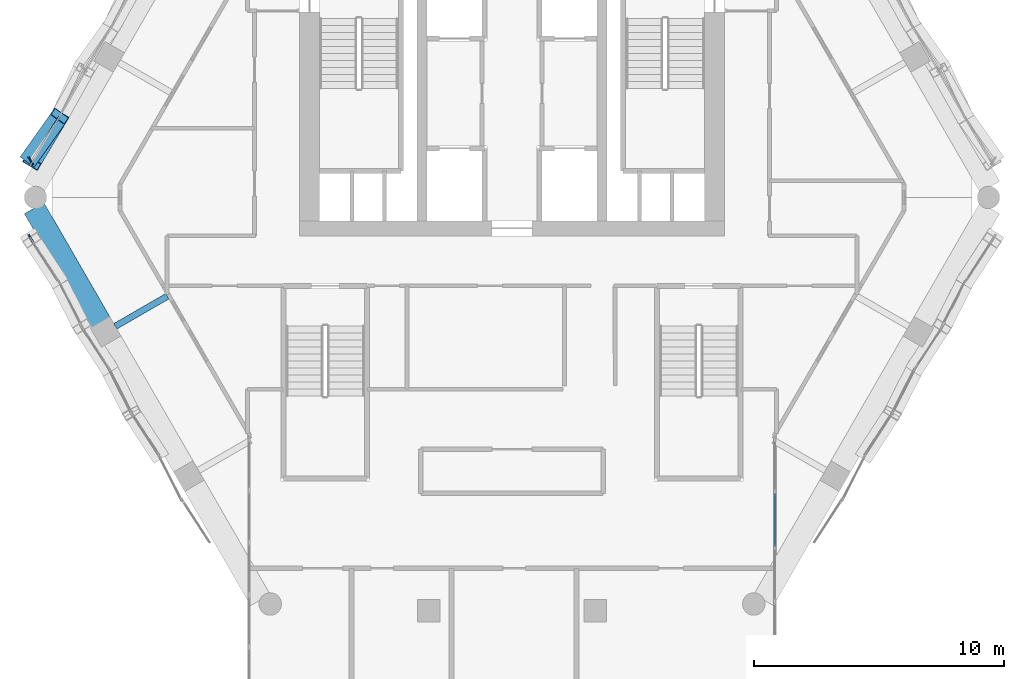
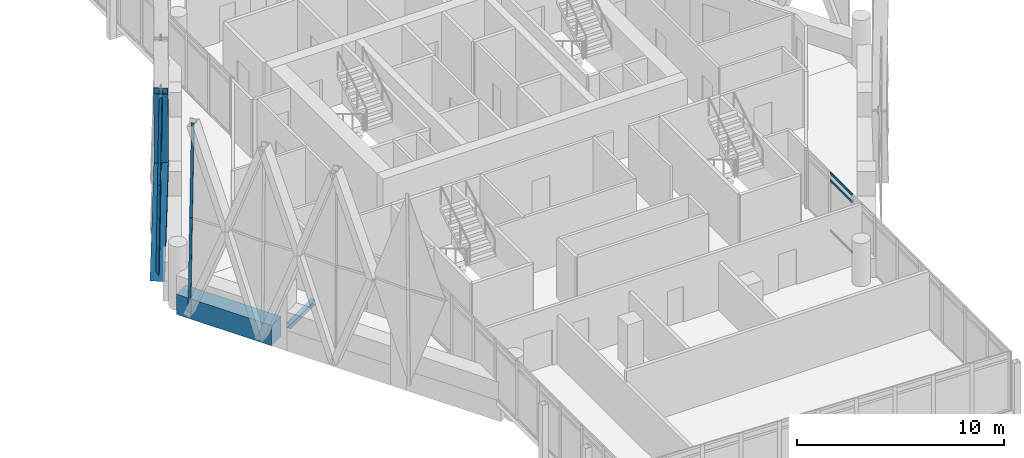
# One storey, part 12 of 37: 10 members, 2 beams, 4 elements without a shape of their own.
"""IFC4 building model written with IfcOpenShell, lengths in metres."""

from ifc_helpers import new_model, si_unit, direction, frame, origin, origin_2d, place, context, subcontext, project, spatial, rectangle, hollow_rectangle, i_section, extrude, material, material_profile, profile_set, type_object, element, aggregate, save


model = new_model("IFC4")

# Units and contexts
model_context = context("Model", 3, precision=1e-05, world=origin(), true_north=direction((0.0, 1.0)))
body_context = subcontext(model_context, "Body", "Model", "MODEL_VIEW")
ifc_project = project(units=[si_unit("LENGTHUNIT", "METRE"), si_unit("AREAUNIT", "SQUARE_METRE"), si_unit("VOLUMEUNIT", "CUBIC_METRE"), si_unit("PLANEANGLEUNIT", "RADIAN"), si_unit("MASSUNIT", "GRAM", prefix="KILO")], contexts=[model_context])

# Site, building, storey
site_placement = place(None, origin())
site = spatial("IfcSite", under=ifc_project, at=site_placement, CompositionType="ELEMENT")
building_placement = place(site_placement, origin())
building = spatial("IfcBuilding", under=site, at=building_placement, Name="Ostrander Bayou Hotel Tower", CompositionType="ELEMENT")
storey_placement = place(building_placement, frame((0.0, 0.0, 225.75)))
storey = spatial("IfcBuildingStorey", under=building, at=storey_placement, Name="L56", CompositionType="ELEMENT", Elevation=225.75)

# Curtain wall, members
ifc_material_1 = material(Name="Aluminium and clear glass", Category="aluminium")
curtain_wall_type_1 = type_object("IfcCurtainWallType", Name="CW-BAR glazed wall", PredefinedType="NOTDEFINED", material=ifc_material_1)
curtain_wall_1_placement = place(storey_placement, origin())
curtain_wall_1 = element("IfcCurtainWall", 1, at=curtain_wall_1_placement, inside=storey, type_object=curtain_wall_type_1, Name="CW-BAR L56:SB5S:W", PredefinedType="NOTDEFINED")
ifc_material_2 = material(Name="Aluminium", Category="aluminium")
ifc_material_profile_1 = material_profile(ifc_material_2, hollow_rectangle(XDim=0.06005859375, YDim=0.1298828125, WallThickness=0.00390625, at=origin_2d()))
ifc_profile_set_1 = profile_set([ifc_material_profile_1], Name="Aluminium")
member_type_1 = type_object("IfcMemberType", Name="CW-BR transom 60 x 130 mm", PredefinedType="USERDEFINED", material=ifc_profile_set_1)
member_1_placement = place(storey_placement, frame((10.51220703125, -12.000732421875, 0.030029296875), z_axis=(0.0, -1.0, 0.0), x_axis=(1.0, 0.0, 0.0)))
member_1 = element("IfcMember", 2, at=member_1_placement, type_object=member_type_1, Name="CW-BAR transom 2.1", ObjectType="TRANSOM", PredefinedType="USERDEFINED", context=body_context, shape_type="SweptSolid", body=[
    extrude(hollow_rectangle(XDim=0.06005859375, YDim=0.1298828125, WallThickness=0.00390625, at=origin_2d()), origin(), (0.0, 0.0, 1.0), 2.1181640625),
])
member_2_placement = place(storey_placement, frame((10.51220703125, -12.000732421875, 3.0), z_axis=(0.0, -1.0, 0.0), x_axis=(1.0, 0.0, 0.0)))
member_2 = element("IfcMember", 3, at=member_2_placement, type_object=member_type_1, Name="CW-BAR transom 2.2", ObjectType="TRANSOM", PredefinedType="USERDEFINED", context=body_context, shape_type="SweptSolid", body=[
    extrude(hollow_rectangle(XDim=0.06005859375, YDim=0.1298828125, WallThickness=0.00390625, at=origin_2d()), origin(), (0.0, 0.0, 1.0), 2.1181640625),
])
member_3_placement = place(storey_placement, frame((10.51220703125, -12.000732421875, 3.419921875), z_axis=(0.0, -1.0, 0.0), x_axis=(1.0, 0.0, 0.0)))
member_3 = element("IfcMember", 4, at=member_3_placement, type_object=member_type_1, Name="CW-BAR transom 2.3", ObjectType="TRANSOM", PredefinedType="USERDEFINED", context=body_context, shape_type="SweptSolid", body=[
    extrude(hollow_rectangle(XDim=0.06005859375, YDim=0.1298828125, WallThickness=0.00390625, at=origin_2d()), origin(), (0.0, 0.0, 1.0), 2.1181640625),
])
aggregate(curtain_wall_1, [member_1, member_2, member_3])

ifc_material_3 = material(Name="Aluminium and clear glass", Category="aluminium")
curtain_wall_type_2 = type_object("IfcCurtainWallType", Name="CW-LAT lattice glazing", PredefinedType="NOTDEFINED", material=ifc_material_3)
curtain_wall_2_placement = place(storey_placement, origin())
curtain_wall_2 = element("IfcCurtainWall", 5, at=curtain_wall_2_placement, inside=storey, type_object=curtain_wall_type_2, Name="CW-LAT L56 NW 1", PredefinedType="NOTDEFINED")
ifc_material_4 = material(Name="Aluminium", Category="aluminium")
ifc_material_profile_2 = material_profile(ifc_material_4, hollow_rectangle(XDim=0.06005859375, YDim=0.159912109375, WallThickness=0.00390625, at=origin_2d()))
ifc_profile_set_2 = profile_set([ifc_material_profile_2], Name="Aluminium")
member_type_2 = type_object("IfcMemberType", Name="CW-LA mullion 60 x 160 mm", PredefinedType="MULLION", material=ifc_profile_set_2)
member_4_placement = place(storey_placement, frame((-19.2978515625, 1.387939453125, -0.60009765625), z_axis=(0.008418945283, -0.014581266058, 0.999858243973), x_axis=(0.866013897511, 0.50001992892, 0.0)))
member_4 = element("IfcMember", 6, at=member_4_placement, type_object=member_type_2, Name="CW-LAT mullion 13", PredefinedType="MULLION", context=body_context, shape_type="SweptSolid", body=[
    extrude(hollow_rectangle(XDim=0.06005859375, YDim=0.159912109375, WallThickness=0.00390625, at=origin_2d()), origin(), (0.0, 0.0, 1.0), 5.625732421875),
])
member_5_placement = place(storey_placement, frame((-19.25048828125, 1.305908203125, 5.02490234375), z_axis=(0.008375557002, -0.014537883916, 0.999859240081), x_axis=(0.866486855147, 0.499199889682, 0.0)))
member_5 = element("IfcMember", 7, at=member_5_placement, type_object=member_type_2, Name="CW-LAT mullion 14", PredefinedType="MULLION", context=body_context, shape_type="SweptSolid", body=[
    extrude(hollow_rectangle(XDim=0.06005859375, YDim=0.159912109375, WallThickness=0.00390625, at=origin_2d()), origin(), (0.0, 0.0, 1.0), 5.625732421875),
])
aggregate(curtain_wall_2, [member_4, member_5])

curtain_wall_3_placement = place(storey_placement, origin())
curtain_wall_3 = element("IfcCurtainWall", 8, at=curtain_wall_3_placement, inside=storey, type_object=curtain_wall_type_2, Name="CW-LAT L56 SW 1", PredefinedType="NOTDEFINED")
member_6_placement = place(storey_placement, frame((-19.2978515625, -1.715087890625, -0.60009765625), z_axis=(0.008418945283, -0.014581266058, 0.999858243973), x_axis=(0.866013897511, 0.50001992892, 0.0)))
member_6 = element("IfcMember", 9, at=member_6_placement, type_object=member_type_2, Name="CW-LAT mullion 1", PredefinedType="MULLION", context=body_context, shape_type="SweptSolid", body=[
    extrude(hollow_rectangle(XDim=0.06005859375, YDim=0.159912109375, WallThickness=0.00390625, at=origin_2d()), origin(), (0.0, 0.0, 1.0), 5.625732421875),
])
member_7_placement = place(storey_placement, frame((-19.25048828125, -1.797119140625, 5.02490234375), z_axis=(0.008375557002, -0.014537883916, 0.999859240081), x_axis=(0.866486855147, 0.499199889682, 0.0)))
member_7 = element("IfcMember", 10, at=member_7_placement, type_object=member_type_2, Name="CW-LAT mullion 2", PredefinedType="MULLION", context=body_context, shape_type="SweptSolid", body=[
    extrude(hollow_rectangle(XDim=0.06005859375, YDim=0.159912109375, WallThickness=0.00390625, at=origin_2d()), origin(), (0.0, 0.0, 1.0), 5.625732421875),
])
aggregate(curtain_wall_3, [member_6, member_7])

# Curtain wall, member
curtain_wall_4_placement = place(storey_placement, origin())
curtain_wall_4 = element("IfcCurtainWall", 11, at=curtain_wall_4_placement, inside=storey, type_object=curtain_wall_type_2, Name="CW-LAT L56 NW 2", PredefinedType="NOTDEFINED")
ifc_material_5 = material(Name="Aluminium", Category="aluminium")
ifc_material_profile_3 = material_profile(ifc_material_5, hollow_rectangle(XDim=0.06005859375, YDim=0.1201171875, WallThickness=0.00390625, at=origin_2d()))
ifc_profile_set_3 = profile_set([ifc_material_profile_3], Name="Aluminium")
member_type_3 = type_object("IfcMemberType", Name="CW-LA transom 60 x 120 mm", PredefinedType="USERDEFINED", material=ifc_profile_set_3)
member_8_placement = place(storey_placement, frame((-19.25048828125, 1.305908203125, 5.02490234375), z_axis=(0.544298115775, 0.838891865, 0.0), x_axis=(-0.838891865, 0.544298115775, 0.0)))
member_8 = element("IfcMember", 12, at=member_8_placement, type_object=member_type_3, Name="CW-LAT transom 15", ObjectType="TRANSOM", PredefinedType="USERDEFINED", context=body_context, shape_type="SweptSolid", body=[
    extrude(hollow_rectangle(XDim=0.06005859375, YDim=0.1201171875, WallThickness=0.00390625, at=origin_2d()), origin(), (0.0, 0.0, 1.0), 2.12646484375),
])
aggregate(curtain_wall_4, [member_8])

# Beam
ifc_material_6 = material(Name="Steel ASTM A992", Category="steel")
ifc_material_profile_4 = material_profile(ifc_material_6, i_section(OverallWidth=0.25390625, OverallDepth=0.25341796875, WebThickness=0.008544921875, FlangeThickness=0.01416015625, at=origin_2d()))
ifc_profile_set_4 = profile_set([ifc_material_profile_4], Name="Steel ASTM A992")
beam_type_1 = type_object("IfcBeamType", Name="LB2 loggia bracket W10x49", PredefinedType="BEAM", material=ifc_profile_set_4)
beam_1_placement = place(storey_placement, frame((-15.867431640625, -5.316650390625, -0.4267578125), z_axis=(0.866024647952, 0.500001309137, 0.0), x_axis=(-0.500001309137, 0.866024647952, 0.0)))
element("IfcBeam", 13, at=beam_1_placement, inside=storey, type_object=beam_type_1, Name="LB2 L56 SW1", PredefinedType="BEAM", context=body_context, shape_type="SweptSolid", body=[
    extrude(i_section(OverallWidth=0.25390625, OverallDepth=0.25341796875, WebThickness=0.008544921875, FlangeThickness=0.01416015625, at=origin_2d()), origin(), (0.0, 0.0, 1.0), 2.39990234375),
])

# Members
ifc_material_7 = material(Name="Steel ASTM A572 Gr 50", Category="steel")
ifc_material_profile_5 = material_profile(ifc_material_7, hollow_rectangle(XDim=0.699951171875, YDim=0.35009765625, WallThickness=0.02490234375, at=origin_2d()))
ifc_profile_set_5 = profile_set([ifc_material_profile_5], Name="Steel ASTM A572 Gr 50")
member_type_4 = type_object("IfcMemberType", Name="LT1 lattice member box 700 x 350 x 25 mm", PredefinedType="BRACE", material=ifc_profile_set_5)
member_9_placement = place(storey_placement, frame((-18.093017578125, 3.08984375, 5.02490234375), z_axis=(-0.200837108227, -0.283695133019, -0.937646803151), x_axis=(0.816178621322, -0.57779966952, 0.0)))
element("IfcMember", 14, at=member_9_placement, inside=storey, type_object=member_type_4, Name="LT1 L56 NW 9", PredefinedType="BRACE", context=body_context, shape_type="SweptSolid", body=[
    extrude(hollow_rectangle(XDim=0.699951171875, YDim=0.35009765625, WallThickness=0.02490234375, at=origin_2d()), origin(), (0.0, 0.0, 1.0), 5.9990234375),
])
member_10_placement = place(storey_placement, frame((-18.093017578125, 3.08984375, 5.02490234375), z_axis=(-0.184154297571, -0.309434288047, 0.932918868963), x_axis=(0.859332890733, -0.511416643163, 0.0)))
element("IfcMember", 15, at=member_10_placement, inside=storey, type_object=member_type_4, Name="LT1 L56 NW 10", PredefinedType="BRACE", context=body_context, shape_type="SweptSolid", body=[
    extrude(hollow_rectangle(XDim=0.699951171875, YDim=0.35009765625, WallThickness=0.02490234375, at=origin_2d()), origin(), (0.0, 0.0, 1.0), 6.029541015625),
])

# Beam
ifc_material_8 = material(Name="Concrete f'c 60 MPa", Category="concrete")
ifc_material_profile_6 = material_profile(ifc_material_8, rectangle(XDim=0.89990234375, YDim=1.199951171875, at=origin_2d()))
ifc_profile_set_6 = profile_set([ifc_material_profile_6], Name="Concrete f'c 60 MPa")
beam_type_2 = type_object("IfcBeamType", Name="SP4 spandrel beam 900 x 1200 mm f'c 60 MPa", PredefinedType="SPANDREL", material=ifc_profile_set_6)
beam_2_placement = place(storey_placement, frame((-19.11865234375, -0.585693359375, -0.60009765625), z_axis=(0.500001430823, -0.866024577697, 0.0), x_axis=(0.866024577697, 0.500001430823, 0.0)))
element("IfcBeam", 16, at=beam_2_placement, inside=storey, type_object=beam_type_2, Name="SP4 L56 SW-1", PredefinedType="SPANDREL", context=body_context, shape_type="SweptSolid", body=[
    extrude(rectangle(XDim=0.89990234375, YDim=1.199951171875, at=origin_2d()), origin(), (0.0, 0.0, 1.0), 5.302734375),
])

save(model, "model.ifc")
